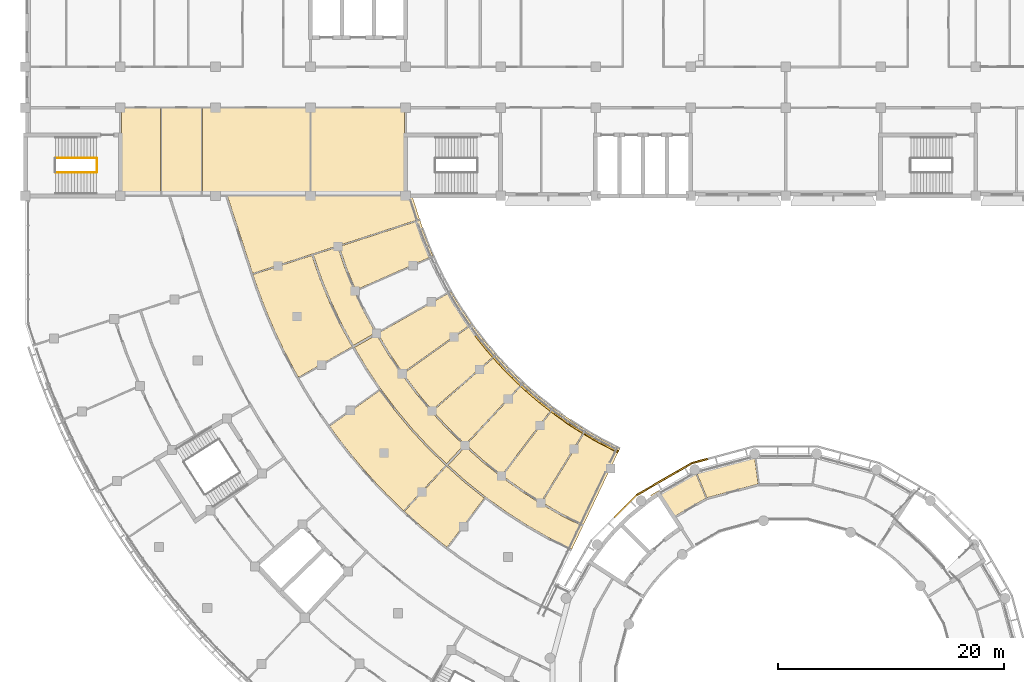
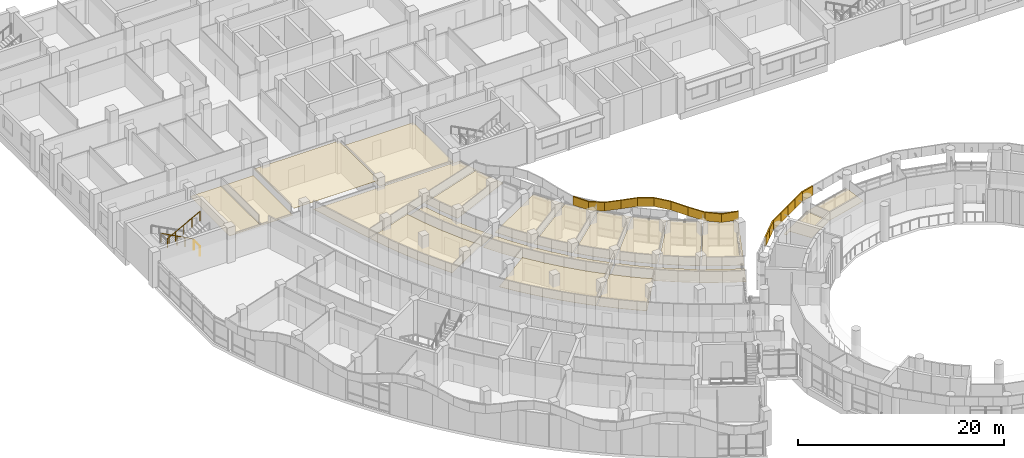
# One storey, part 99 of 109: 37 coverings, 3 railings.
"""IFC4 building model written with IfcOpenShell, lengths in metres."""

from ifc_helpers import new_model, si_unit, direction, frame, origin, origin_2d, place, context, subcontext, project, spatial, polyline, circle, outline, extrude, material, layer, layer_set, type_object, element, save


model = new_model("IFC4")

# Units and contexts
model_context = context("Model", 3, precision=1e-05, world=origin(), true_north=direction((0.0, 1.0)))
body_context = subcontext(model_context, "Body", "Model", "MODEL_VIEW")
ifc_project = project(units=[si_unit("LENGTHUNIT", "METRE"), si_unit("AREAUNIT", "SQUARE_METRE"), si_unit("VOLUMEUNIT", "CUBIC_METRE"), si_unit("PLANEANGLEUNIT", "RADIAN"), si_unit("MASSUNIT", "GRAM", prefix="KILO")], contexts=[model_context])

# Site, building, storey
site_placement = place(None, origin())
site = spatial("IfcSite", under=ifc_project, at=site_placement, CompositionType="ELEMENT")
building_placement = place(site_placement, origin())
building = spatial("IfcBuilding", under=site, at=building_placement, Name="Bougainvillea Quay General Hospital", CompositionType="ELEMENT")
storey_placement = place(building_placement, frame((0.0, 0.0, 12.60009765625)))
storey = spatial("IfcBuildingStorey", under=building, at=storey_placement, Name="L02", CompositionType="ELEMENT", Elevation=12.60009765625)

# Coverings
ifc_material_1 = material(Name="Powder-coated aluminium fascia, white", Category="aluminium")
ifc_layer_1 = layer(ifc_material_1, 0.14990234375)
ifc_layer_set_1 = layer_set([ifc_layer_1], Name="Powder-coated aluminium fascia, white")
covering_type_1 = type_object("IfcCoveringType", Name="Aluminium fascia band white 150x1100", PredefinedType="CLADDING", material=ifc_layer_set_1)
covering_1_placement = place(storey_placement, frame((102.345458984375, 94.287109375, 3.64990234375), z_axis=(0.0, 0.0, 1.0), x_axis=(-0.96591406393, -0.258862938836, 0.0)))
element("IfcCovering", 1, at=covering_1_placement, inside=storey, type_object=covering_type_1, Name="Fascia band white e1 30", PredefinedType="CLADDING", context=body_context, shape_type="SweptSolid", body=[
    extrude(outline(polyline([(0.0, 0.0), (1.4429842986801122, -5.551115123125783e-17), (1.4627235643386534, -0.14986654323044182), (1.8216170730327164e-05, -0.14988922050420808), (0.0, 0.0)])), origin(), (0.0, 0.0, 1.0), 1.10009765625),
])
covering_2_placement = place(storey_placement, frame((100.95166015625, 93.91357421875, 3.64990234375), z_axis=(0.0, 0.0, 1.0), x_axis=(-0.866058810152, -0.49994213401, 0.0)))
element("IfcCovering", 2, at=covering_2_placement, inside=storey, type_object=covering_type_1, Name="Fascia band white e1 31", PredefinedType="CLADDING", context=body_context, shape_type="SweptSolid", body=[
    extrude(outline(polyline([(0.0, 0.0), (1.4430380994058942, 0.0), (1.443016331686934, -0.14995740286665526), (-0.019704824865206458, -0.14987107548026693), (0.0, 0.0)])), origin(), (0.0, 0.0, 1.0), 1.10009765625),
])
covering_3_placement = place(storey_placement, frame((99.701904296875, 93.192138671875, 3.64990234375), z_axis=(0.0, 0.0, 1.0), x_axis=(-0.865986804272, -0.500066850358, 0.0)))
element("IfcCovering", 3, at=covering_3_placement, inside=storey, type_object=covering_type_1, Name="Fascia band white e1 32", PredefinedType="CLADDING", context=body_context, shape_type="SweptSolid", body=[
    extrude(outline(polyline([(0.0, 0.0), (1.3704222423145833, -1.1102230246251565e-16), (1.370590301720145, -0.15007948481028), (-4.3363154074840815e-05, -0.14995739817689163), (0.0, 0.0)])), origin(), (0.0, 0.0, 1.0), 1.10009765625),
])
covering_4_placement = place(storey_placement, frame((98.51513671875, 92.5068359375, 3.64990234375), z_axis=(0.0, 0.0, 1.0), x_axis=(-0.866031343357, -0.499989712218, 0.0)))
element("IfcCovering", 4, at=covering_4_placement, inside=storey, type_object=covering_type_1, Name="Fascia band white e1 33", PredefinedType="CLADDING", context=body_context, shape_type="SweptSolid", body=[
    extrude(outline(polyline([(0.0, 0.0), (1.3706336703115394, 0.0), (1.370815097766146, -0.15007946924533533), (0.00018142745460673904, -0.15007946924533525), (0.0, 0.0)])), origin(), (0.0, 0.0, 1.0), 1.10009765625),
])
covering_5_placement = place(storey_placement, frame((97.328125, 91.821533203125, 3.64990234375), z_axis=(0.0, 0.0, 1.0), x_axis=(-0.866058810152, -0.49994213401, 0.0)))
element("IfcCovering", 5, at=covering_5_placement, inside=storey, type_object=covering_type_1, Name="Fascia band white e1 34", PredefinedType="CLADDING", context=body_context, shape_type="SweptSolid", body=[
    extrude(outline(polyline([(0.0, 0.0), (1.4430380994058942, 0.0), (1.4629108289723776, -0.15016578643810474), (0.00018967242023705533, -0.15007945905171638), (0.0, 0.0)])), origin(), (0.0, 0.0, 1.0), 1.10009765625),
])
covering_6_placement = place(storey_placement, frame((96.078369140625, 91.10009765625, 3.64990234375), z_axis=(0.0, 0.0, 1.0), x_axis=(-0.707106781187, -0.707106781187, 0.0)))
element("IfcCovering", 6, at=covering_6_placement, inside=storey, type_object=covering_type_1, Name="Fascia band white e1 35", PredefinedType="CLADDING", context=body_context, shape_type="SweptSolid", body=[
    extrude(outline(polyline([(0.0, 0.0), (1.4428707219621983, 0.0), (1.4428707219621983, -0.15019113760554115), (-0.01968021803107091, -0.1501911376055411), (0.0, 0.0)])), origin(), (0.0, 0.0, 1.0), 1.10009765625),
])
covering_7_placement = place(storey_placement, frame((95.05810546875, 90.079833984375, 3.64990234375), z_axis=(0.0, 0.0, 1.0), x_axis=(-0.707106781187, -0.707106781187, 0.0)))
element("IfcCovering", 7, at=covering_7_placement, inside=storey, type_object=covering_type_1, Name="Fascia band white e1 36", PredefinedType="CLADDING", context=body_context, shape_type="SweptSolid", body=[
    extrude(outline(polyline([(0.0, 0.0), (1.370364655531937, 0.0), (1.370364655531937, -0.15019113760554115), (0.0, -0.15019113760554112), (0.0, 0.0)])), origin(), (0.0, 0.0, 1.0), 1.10009765625),
])
ifc_material_2 = material(Name="Powder-coated aluminium fascia, blue", Category="aluminium")
ifc_layer_2 = layer(ifc_material_2, 0.14990234375)
ifc_layer_set_2 = layer_set([ifc_layer_2], Name="Powder-coated aluminium fascia, blue")
covering_type_2 = type_object("IfcCoveringType", Name="Aluminium wave fascia ribbon blue 150x1000", PredefinedType="CLADDING", material=ifc_layer_set_2)
covering_8_placement = place(storey_placement, frame((94.427490234375, 95.04443359375, 3.149658203125), z_axis=(-0.134613920945, 0.068396361357, 0.988534789494), x_axis=(-0.881880821083, 0.446639994717, -0.150993153902)))
element("IfcCovering", 8, at=covering_8_placement, inside=storey, type_object=covering_type_2, Name="Fascia ribbon blue a11 1", PredefinedType="CLADDING", context=body_context, shape_type="SweptSolid", body=[
    extrude(outline(polyline([(0.0, 0.0), (1.649143049861406, 8.898589330674778e-17), (1.6526623826933484, 0.14981905811304655), (9.866971577592726e-05, 0.15001996091022107), (0.0, 0.0)])), origin(), (-0.150993153902, 0.000193478373, 0.988534789494), 1.0),
])
covering_9_placement = place(storey_placement, frame((92.97314453125, 95.781005859375, 2.900634765625), z_axis=(0.111270125415, -0.063136419477, 0.991782613139), x_axis=(-0.862316229129, 0.48994232104, 0.12793452636)))
element("IfcCovering", 9, at=covering_9_placement, inside=storey, type_object=covering_type_2, Name="Fascia ribbon blue a11 2", PredefinedType="CLADDING", context=body_context, shape_type="SweptSolid", body=[
    extrude(outline(polyline([(0.0, 0.0), (1.650880909901655, -1.5510867330120748e-17), (1.6544327151431235, 0.14997813959564843), (-0.003721425363353203, 0.14981417334788702), (0.0, 0.0)])), origin(), (0.12793452636, 7.2384344e-05, 0.991782613139), 1.0),
])
covering_10_placement = place(storey_placement, frame((91.549560546875, 96.58984375, 3.11279296875), z_axis=(0.269595321599, -0.17047557872, 0.947763915557), x_axis=(-0.800718860017, 0.507055998504, 0.318972603201)))
element("IfcCovering", 10, at=covering_10_placement, inside=storey, type_object=covering_type_2, Name="Fascia ribbon blue a11 3", PredefinedType="CLADDING", context=body_context, shape_type="SweptSolid", body=[
    extrude(outline(polyline([(0.0, 0.0), (1.7275661984663477, 9.017851569648183e-17), (1.7312349785072862, 0.1501463199086659), (-0.0038540562652176246, 0.1499748501509416), (0.0, 0.0)])), origin(), (0.318972603201, 0.000196913932, 0.947763915557), 1.0),
])
covering_11_placement = place(storey_placement, frame((90.166259765625, 97.4658203125, 3.6650390625), z_axis=(0.269846848694, -0.189375621449, 0.944097215466), x_axis=(-0.772726249963, 0.542414690052, 0.329667175549)))
element("IfcCovering", 11, at=covering_11_placement, inside=storey, type_object=covering_type_2, Name="Fascia ribbon blue a11 4", PredefinedType="CLADDING", context=body_context, shape_type="SweptSolid", body=[
    extrude(outline(polyline([(0.0, 0.0), (1.7342526152224345, 8.61940727125976e-18), (1.7380955254344927, 0.1499107304724183), (-0.0038732924675144065, 0.15014117517074269), (0.0, 0.0)])), origin(), (0.329667175549, 3.3380999e-05, 0.944097215466), 1.0),
])
covering_12_placement = place(storey_placement, frame((88.826171875, 98.406494140625, 4.23779296875), z_axis=(0.123697124633, -0.097170291714, 0.987550988945), x_axis=(-0.780215294997, 0.605410527722, 0.157296491939)))
element("IfcCovering", 12, at=covering_12_placement, inside=storey, type_object=covering_type_2, Name="Fascia ribbon blue a11 5", PredefinedType="CLADDING", context=body_context, shape_type="SweptSolid", body=[
    extrude(outline(polyline([(0.0, 0.0), (1.6578163978880402, 8.023096076392733e-17), (1.6616354729715916, 0.15003355894540937), (-0.003605006712985813, 0.1499134668402592), (0.0, 0.0)])), origin(), (0.157296491939, -0.000926206313, 0.987550988945), 1.0),
])
covering_13_placement = place(storey_placement, frame((87.53271484375, 99.41015625, 4.49853515625), z_axis=(-0.092219047305, 0.079952400942, 0.992523682789), x_axis=(-0.754227620361, 0.645170214853, -0.122049541381)))
element("IfcCovering", 13, at=covering_13_placement, inside=storey, type_object=covering_type_2, Name="Fascia ribbon blue a11 6", PredefinedType="CLADDING", context=body_context, shape_type="SweptSolid", body=[
    extrude(outline(polyline([(0.0, 0.0), (1.64988554428168, 8.475750483405431e-17), (1.653271143765797, 0.15003681032246757), (-0.0034059025957355565, 0.15004350145983397), (0.0, 0.0)])), origin(), (-0.122049541381, 0.000805326541, 0.992523682789), 1.0),
])
covering_14_placement = place(storey_placement, frame((86.288330078125, 100.474609375, 4.29638671875), z_axis=(-0.230664652954, 0.217005181885, 0.94852652515), x_axis=(-0.690563347838, 0.650249836175, -0.316697668411)))
element("IfcCovering", 14, at=covering_14_placement, inside=storey, type_object=covering_type_2, Name="Fascia ribbon blue a11 7", PredefinedType="CLADDING", context=body_context, shape_type="SweptSolid", body=[
    extrude(outline(polyline([(0.0, 0.0), (1.7259801856969024, -1.2656705111052657e-16), (1.729824833206473, 0.14997668190974503), (-0.003971421068609027, 0.1500272212118843), (0.0, 0.0)])), origin(), (-0.316697668411, -0.000133827894, 0.94852652515), 1.0),
])
covering_15_placement = place(storey_placement, frame((85.096435546875, 101.596923828125, 3.74853515625), z_axis=(-0.230115656066, 0.238478593157, 0.943490723558), x_axis=(-0.655227994087, 0.678860090834, -0.331398933066)))
element("IfcCovering", 15, at=covering_15_placement, inside=storey, type_object=covering_type_2, Name="Fascia ribbon blue a11 8", PredefinedType="CLADDING", context=body_context, shape_type="SweptSolid", body=[
    extrude(outline(polyline([(0.0, 0.0), (1.7355973342594433, 9.993633524885137e-17), (1.7393605789385473, 0.14993243944962287), (-0.0037256740513451373, 0.14997968410729973), (0.0, 0.0)])), origin(), (-0.331398933066, 4.1515047e-05, 0.943490723558), 1.0),
])
covering_16_placement = place(storey_placement, frame((83.959228515625, 102.775146484375, 3.17236328125), z_axis=(-0.106829283381, 0.122950709521, 0.986646150978), x_axis=(-0.650564877259, 0.741779293828, -0.162876700988)))
element("IfcCovering", 16, at=covering_16_placement, inside=storey, type_object=covering_type_2, Name="Fascia ribbon blue a11 9", PredefinedType="CLADDING", context=body_context, shape_type="SweptSolid", body=[
    extrude(outline(polyline([(0.0, 0.0), (1.659461326834655, -1.0530313600265462e-16), (1.6629966707854718, 0.14987754939353506), (-0.0036654032750332603, 0.14993168252770597), (0.0, 0.0)])), origin(), (-0.162876700988, 0.000743662862, 0.986646150978), 1.0),
])
covering_17_placement = place(storey_placement, frame((82.879638671875, 104.006103515625, 2.902099609375), z_axis=(0.071665472157, -0.09132517356, 0.993239031037), x_axis=(-0.618518962205, 0.777147793497, 0.116084453978)))
element("IfcCovering", 17, at=covering_17_placement, inside=storey, type_object=covering_type_2, Name="Fascia ribbon blue a11 10", PredefinedType="CLADDING", context=body_context, shape_type="SweptSolid", body=[
    extrude(outline(polyline([(0.0, 0.0), (1.648349577774987, -1.412444380205491e-16), (1.6519795935334607, 0.15000665733429563), (-0.0036879805536019395, 0.1498738615911904), (0.0, 0.0)])), origin(), (0.116084453978, -0.000791688017, 0.993239031037), 1.0),
])

# Railings
ifc_material_3 = material(Name="Stainless steel 304 balustrade", Category="steel")
railing_type = type_object("IfcRailingType", Name="Stair guard 1100", PredefinedType="GUARDRAIL", material=ifc_material_3)
railing_1_placement = place(storey_placement, frame((48.300048828125, 120.949951171875, 0.14990234375)))
element("IfcRailing", 18, at=railing_1_placement, inside=storey, type_object=railing_type, Name="L02 ST-B1 stair guard 1", PredefinedType="GUARDRAIL", context=body_context, shape_type="SweptSolid", body=[
    extrude(circle(Radius=0.02392578125, at=origin_2d()), frame((0.0, 0.0, 1.076171875), z_axis=(-0.881492274372, 0.0, 0.472198443689), x_axis=(0.0, -1.0, 0.0)), (0.0, 0.0, 1.0), 4.12939453125),
    extrude(circle(Radius=0.02099609375, at=origin_2d()), origin(), (0.0, 0.0, 1.0), 1.052001953125),
    extrude(circle(Radius=0.02099609375, at=origin_2d()), frame((-0.91015625, 0.0, 0.487548828125)), (0.0, 0.0, 1.0), 1.052001953125),
    extrude(circle(Radius=0.02099609375, at=origin_2d()), frame((-1.820068359375, 0.0, 0.97509765625)), (0.0, 0.0, 1.0), 1.052001953125),
    extrude(circle(Radius=0.02099609375, at=origin_2d()), frame((-2.72998046875, 0.0, 1.46240234375)), (0.0, 0.0, 1.0), 1.052001953125),
    extrude(circle(Radius=0.02099609375, at=origin_2d()), frame((-3.64013671875, 0.0, 1.949951171875)), (0.0, 0.0, 1.0), 1.052001953125),
])
railing_2_placement = place(storey_placement, frame((44.659912109375, 119.64990234375, 2.25)))
element("IfcRailing", 19, at=railing_2_placement, inside=storey, type_object=railing_type, Name="L02 ST-B1 stair guard 3", PredefinedType="GUARDRAIL", context=body_context, shape_type="SweptSolid", body=[
    extrude(circle(Radius=0.02392578125, at=origin_2d()), frame((0.0, 0.0, 1.076171875), z_axis=(0.881492274372, 0.0, 0.472198443689), x_axis=(0.0, 1.0, 0.0)), (0.0, 0.0, 1.0), 4.12939453125),
    extrude(circle(Radius=0.02099609375, at=origin_2d()), origin(), (0.0, 0.0, 1.0), 1.052001953125),
    extrude(circle(Radius=0.02099609375, at=origin_2d()), frame((0.91015625, 0.0, 0.487548828125)), (0.0, 0.0, 1.0), 1.052001953125),
    extrude(circle(Radius=0.02099609375, at=origin_2d()), frame((1.820068359375, 0.0, 0.97509765625)), (0.0, 0.0, 1.0), 1.052001953125),
    extrude(circle(Radius=0.02099609375, at=origin_2d()), frame((2.72998046875, 0.0, 1.46240234375)), (0.0, 0.0, 1.0), 1.052001953125),
    extrude(circle(Radius=0.02099609375, at=origin_2d()), frame((3.64013671875, 0.0, 1.949951171875)), (0.0, 0.0, 1.0), 1.052001953125),
])
railing_3_placement = place(storey_placement, frame((48.35009765625, 120.89990234375, 0.0)))
element("IfcRailing", 20, at=railing_3_placement, inside=storey, type_object=railing_type, Name="L02 ST-B1 stair guard 4", PredefinedType="GUARDRAIL", context=body_context, shape_type="SweptSolid", body=[
    extrude(circle(Radius=0.02392578125, at=origin_2d()), frame((0.0, 0.0, 1.076171875), z_axis=(0.0, -1.0, 0.0), x_axis=(1.0, 0.0, 0.0)), (0.0, 0.0, 1.0), 1.199951171875),
    extrude(circle(Radius=0.02099609375, at=origin_2d()), origin(), (0.0, 0.0, 1.0), 1.052001953125),
    extrude(circle(Radius=0.02099609375, at=origin_2d()), frame((0.0, -1.199951171875, 0.0)), (0.0, 0.0, 1.0), 1.052001953125),
])

# Coverings
ifc_material_4 = material(Name="Mineral fibre ceiling tile")
ifc_layer_3 = layer(ifc_material_4, 0.030029296875)
ifc_layer_set_3 = layer_set([ifc_layer_3], Name="Mineral fibre ceiling tile")
covering_type_3 = type_object("IfcCoveringType", Name="Suspended ceiling mineral fibre tile", PredefinedType="CEILING", material=ifc_layer_set_3)
covering_18_placement = place(storey_placement, frame((0.0, 0.0, 2.7998046875)))
element("IfcCovering", 21, at=covering_18_placement, inside=storey, type_object=covering_type_3, Name="Ceiling Physiotherapy Treatment Room 01", PredefinedType="CEILING", context=body_context, shape_type="SweptSolid", body=[
    extrude(outline(polyline([(50.449951171875, 117.64990234375), (53.947998046875, 117.64990234375), (53.947998046875, 125.35009765625), (50.5, 125.35009765625), (50.5, 122.89990234375), (50.449951171875, 122.89990234375), (50.449951171875, 117.64990234375)])), origin(), (0.0, 0.0, 1.0), 0.030029296875),
])
covering_19_placement = place(storey_placement, frame((0.0, 0.0, 2.7998046875)))
element("IfcCovering", 22, at=covering_19_placement, inside=storey, type_object=covering_type_3, Name="Ceiling Physiotherapy Treatment Room 02", PredefinedType="CEILING", context=body_context, shape_type="SweptSolid", body=[
    extrude(outline(polyline([(54.048095703125, 117.64990234375), (57.548095703125, 117.64990234375), (57.548095703125, 125.35009765625), (54.048095703125, 125.35009765625), (54.048095703125, 117.64990234375)])), origin(), (0.0, 0.0, 1.0), 0.030029296875),
])
covering_20_placement = place(storey_placement, frame((0.0, 0.0, 3.5498046875)))
element("IfcCovering", 23, at=covering_20_placement, inside=storey, type_object=covering_type_3, Name="Ceiling Hydrotherapy Pool Hall", PredefinedType="CEILING", context=body_context, shape_type="SweptSolid", body=[
    extrude(outline(polyline([(57.64794921875, 117.64990234375), (67.14794921875, 117.64990234375), (67.14794921875, 125.35009765625), (57.64794921875, 125.35009765625), (57.64794921875, 117.64990234375)])), origin(), (0.0, 0.0, 1.0), 0.030029296875),
])
covering_21_placement = place(storey_placement, frame((0.0, 0.0, 2.7998046875)))
element("IfcCovering", 24, at=covering_21_placement, inside=storey, type_object=covering_type_3, Name="Ceiling Occupational Therapy Room", PredefinedType="CEILING", context=body_context, shape_type="SweptSolid", body=[
    extrude(outline(polyline([(75.550048828125, 117.64990234375), (75.550048828125, 122.89990234375), (75.5, 122.89990234375), (75.5, 125.35009765625), (67.248046875, 125.35009765625), (67.248046875, 117.64990234375), (75.550048828125, 117.64990234375)])), origin(), (0.0, 0.0, 1.0), 0.030029296875),
])
covering_22_placement = place(storey_placement, frame((0.0, 0.0, 2.699951171875)))
element("IfcCovering", 25, at=covering_22_placement, inside=storey, type_object=covering_type_3, Name="Ceiling Resource Room 02H0114", PredefinedType="CEILING", context=body_context, shape_type="SweptSolid", body=[
    extrude(outline(polyline([(101.212646484375, 93.4140625), (102.23974609375, 90.93505859375), (102.25244140625, 90.9423828125), (102.26123046875, 90.92724609375), (106.74609375, 92.129638671875), (106.74609375, 92.14697265625), (106.7607421875, 92.14697265625), (106.410400390625, 94.806884765625), (101.212646484375, 93.4140625)])), origin(), (0.0, 0.0, 1.0), 0.030029296875),
])
covering_23_placement = place(storey_placement, frame((0.0, 0.0, 2.699951171875)))
element("IfcCovering", 26, at=covering_23_placement, inside=storey, type_object=covering_type_3, Name="Ceiling Patient Education Room 02H0115", PredefinedType="CEILING", context=body_context, shape_type="SweptSolid", body=[
    extrude(outline(polyline([(99.34716796875, 89.171630859375), (99.306396484375, 89.241943359375), (102.1376953125, 90.876220703125), (102.133056640625, 90.89306640625), (102.147216796875, 90.896728515625), (101.120361328125, 93.375732421875), (97.25634765625, 91.14501953125), (97.428955078125, 90.898681640625), (97.387939453125, 90.8701171875), (97.97998046875, 91.277099609375), (99.34716796875, 89.171630859375)])), origin(), (0.0, 0.0, 1.0), 0.030029296875),
])
covering_24_placement = place(storey_placement, frame((0.0, 0.0, 2.39990234375)))
element("IfcCovering", 27, at=covering_24_placement, inside=storey, type_object=covering_type_3, Name="Ceiling Clinic Corridor 02W1", PredefinedType="CEILING", context=body_context, shape_type="SweptSolid", body=[
    extrude(outline(polyline([(91.299072265625, 88.468994140625), (91.265625, 88.40185546875), (89.43994140625, 89.310302734375), (89.437744140625, 89.306640625), (89.37451171875, 89.3427734375), (89.309326171875, 89.375244140625), (89.311279296875, 89.379150390625), (87.60546875, 90.3583984375), (87.603515625, 90.355224609375), (87.5419921875, 90.39501953125), (87.478515625, 90.431396484375), (87.48046875, 90.4345703125), (85.826416015625, 91.499267578125), (85.82421875, 91.496337890625), (85.764892578125, 91.5390625), (85.703369140625, 91.57861328125), (85.705322265625, 91.58154296875), (84.107177734375, 92.728515625), (84.10498046875, 92.7255859375), (84.047607421875, 92.771240234375), (83.98828125, 92.813720703125), (83.990478515625, 92.81689453125), (82.451416015625, 94.044189453125), (82.44873046875, 94.041015625), (82.39453125, 94.08984375), (82.337646484375, 94.135009765625), (82.34033203125, 94.138427734375), (80.898193359375, 95.435302734375), (79.366455078125, 93.7890625), (80.948486328125, 92.3662109375), (82.689208984375, 90.976806640625), (84.499267578125, 89.677978515625), (86.3720703125, 88.47314453125), (88.303466796875, 87.3642578125), (90.29833984375, 86.37158203125), (91.299072265625, 88.468994140625)])), origin(), (0.0, 0.0, 1.0), 0.030029296875),
])
covering_25_placement = place(storey_placement, frame((0.0, 0.0, 2.699951171875)))
element("IfcCovering", 28, at=covering_25_placement, inside=storey, type_object=covering_type_3, Name="Ceiling Oncology Consulting Room 02W102", PredefinedType="CEILING", context=body_context, shape_type="SweptSolid", body=[
    extrude(outline(polyline([(82.539306640625, 90.89990234375), (82.54150390625, 90.90283203125), (80.908447265625, 92.206298828125), (80.905517578125, 92.203125), (80.8515625, 92.251708984375), (80.794677734375, 92.297119140625), (80.79736328125, 92.300537109375), (79.26416015625, 93.67919921875), (79.260986328125, 93.677734375), (79.225830078125, 93.71142578125), (75.50439453125, 89.711669921875), (77.0439453125, 88.3388671875), (78.44970703125, 87.1796875), (79.271728515625, 86.54541015625), (82.55810546875, 90.88623046875), (82.539306640625, 90.89990234375)])), origin(), (0.0, 0.0, 1.0), 0.030029296875),
])
covering_26_placement = place(storey_placement, frame((0.0, 0.0, 2.699951171875)))
element("IfcCovering", 29, at=covering_26_placement, inside=storey, type_object=covering_type_3, Name="Ceiling Infusion Chair Bay 02W111", PredefinedType="CEILING", context=body_context, shape_type="SweptSolid", body=[
    extrude(outline(polyline([(94.56298828125, 95.31201171875), (94.540283203125, 95.267333984375), (93.067626953125, 96.015869140625), (93.06640625, 96.013671875), (93.024169921875, 96.0380859375), (92.980712890625, 96.06005859375), (92.98193359375, 96.062255859375), (91.54736328125, 96.88427734375), (87.663330078125, 90.498291015625), (89.4453125, 89.47509765625), (91.331298828125, 88.53662109375), (94.56298828125, 95.31201171875)])), origin(), (0.0, 0.0, 1.0), 0.030029296875),
])
covering_27_placement = place(storey_placement, frame((0.0, 0.0, 2.699951171875)))
element("IfcCovering", 30, at=covering_27_placement, inside=storey, type_object=covering_type_3, Name="Ceiling Pharmacy Preparation Room 02W112", PredefinedType="CEILING", context=body_context, shape_type="SweptSolid", body=[
    extrude(outline(polyline([(89.52197265625, 98.27294921875), (89.492431640625, 98.232666015625), (88.690185546875, 98.821533203125), (84.178955078125, 92.861572265625), (85.84912109375, 91.6630859375), (87.577880859375, 90.55029296875), (91.4619140625, 96.936279296875), (90.18310546875, 97.755859375), (90.2099609375, 97.798095703125), (89.52197265625, 98.27294921875)])), origin(), (0.0, 0.0, 1.0), 0.030029296875),
])
covering_28_placement = place(storey_placement, frame((0.0, 0.0, 2.699951171875)))
element("IfcCovering", 31, at=covering_28_placement, inside=storey, type_object=covering_type_3, Name="Ceiling Infusion Chair Bay 02W113", PredefinedType="CEILING", context=body_context, shape_type="SweptSolid", body=[
    extrude(outline(polyline([(80.96337890625, 95.578369140625), (82.491455078125, 94.204345703125), (84.09912109375, 92.922119140625), (88.610595703125, 98.88232421875), (87.4365234375, 99.81591796875), (87.435546875, 99.814453125), (87.35986328125, 99.876953125), (87.36083984375, 99.87841796875), (86.682373046875, 100.45947265625), (86.681396484375, 100.458251953125), (86.607421875, 100.5234375), (86.6083984375, 100.524658203125), (86.04296875, 101.037841796875), (80.96337890625, 95.578369140625)])), origin(), (0.0, 0.0, 1.0), 0.030029296875),
])
covering_29_placement = place(storey_placement, frame((0.0, 0.0, 2.39990234375)))
element("IfcCovering", 32, at=covering_29_placement, inside=storey, type_object=covering_type_3, Name="Ceiling Clinic Corridor 02W1", PredefinedType="CEILING", context=body_context, shape_type="SweptSolid", body=[
    extrude(outline(polyline([(75.246826171875, 101.83447265625), (75.202880859375, 101.89306640625), (75.2060546875, 101.895263671875), (74.105224609375, 103.527587890625), (74.1015625, 103.525390625), (74.064453125, 103.587890625), (74.02392578125, 103.648193359375), (74.027587890625, 103.650634765625), (73.040771484375, 105.32080078125), (71.086181640625, 104.208984375), (72.16845703125, 102.376953125), (73.4130859375, 100.530517578125), (74.750732421875, 98.74853515625), (76.176513671875, 97.037353515625), (77.6865234375, 95.400390625), (79.219970703125, 93.92529296875), (80.751953125, 95.571533203125), (79.35400390625, 96.9169921875), (79.350830078125, 96.9140625), (79.301513671875, 96.967529296875), (79.2490234375, 97.01806640625), (79.251953125, 97.02099609375), (77.917236328125, 98.466796875), (77.914306640625, 98.46435546875), (77.86767578125, 98.5205078125), (77.818115234375, 98.57421875), (77.82080078125, 98.57666015625), (76.56201171875, 100.088134765625), (76.55908203125, 100.0859375), (76.51513671875, 100.14453125), (76.46826171875, 100.20068359375), (76.47119140625, 100.203125), (75.290771484375, 101.77587890625), (75.287841796875, 101.77392578125), (75.246826171875, 101.83447265625)])), origin(), (0.0, 0.0, 1.0), 0.030029296875),
])
covering_30_placement = place(storey_placement, frame((0.0, 0.0, 2.699951171875)))
element("IfcCovering", 33, at=covering_30_placement, inside=storey, type_object=covering_type_3, Name="Ceiling Infusion Waiting Hall 02W101", PredefinedType="CEILING", context=body_context, shape_type="SweptSolid", body=[
    extrude(outline(polyline([(74.633056640625, 98.655517578125), (74.58642578125, 98.711669921875), (74.589111328125, 98.7138671875), (73.334716796875, 100.385009765625), (73.331787109375, 100.3828125), (73.31884765625, 100.402099609375), (68.889404296875, 97.249267578125), (69.449462890625, 96.464599609375), (70.199951171875, 95.480224609375), (70.974853515625, 94.515625), (71.7734375, 93.5703125), (72.9970703125, 92.2099609375), (73.8525390625, 91.3154296875), (74.730224609375, 90.44287109375), (75.430908203125, 89.779296875), (79.15283203125, 93.779541015625), (79.116455078125, 93.81201171875), (79.117919921875, 93.8154296875), (77.6318359375, 95.244873046875), (77.628662109375, 95.241943359375), (77.579345703125, 95.29541015625), (77.52685546875, 95.345947265625), (77.530029296875, 95.34912109375), (76.11328125, 96.884765625), (76.1103515625, 96.88232421875), (76.0634765625, 96.9384765625), (76.013916015625, 96.9921875), (76.016845703125, 96.994873046875), (74.679931640625, 98.59912109375), (74.677001953125, 98.596923828125), (74.633056640625, 98.655517578125)])), origin(), (0.0, 0.0, 1.0), 0.030029296875),
])
covering_31_placement = place(storey_placement, frame((0.0, 0.0, 2.699951171875)))
element("IfcCovering", 34, at=covering_31_placement, inside=storey, type_object=covering_type_3, Name="Ceiling Infusion Chair Bay 02W111", PredefinedType="CEILING", context=body_context, shape_type="SweptSolid", body=[
    extrude(outline(polyline([(84.931396484375, 102.118408203125), (84.8623046875, 102.188232421875), (84.863525390625, 102.189453125), (84.21240234375, 102.870361328125), (84.211181640625, 102.869384765625), (84.144287109375, 102.941650390625), (84.145263671875, 102.942626953125), (83.6337890625, 103.510986328125), (78.014404296875, 98.582763671875), (79.40869140625, 97.072509765625), (80.89013671875, 95.646484375), (85.97021484375, 101.1064453125), (84.9326171875, 102.119384765625), (84.931396484375, 102.118408203125)])), origin(), (0.0, 0.0, 1.0), 0.030029296875),
])
covering_32_placement = place(storey_placement, frame((0.0, 0.0, 2.699951171875)))
element("IfcCovering", 35, at=covering_32_placement, inside=storey, type_object=covering_type_3, Name="Ceiling Pharmacy Preparation Room 02W112", PredefinedType="CEILING", context=body_context, shape_type="SweptSolid", body=[
    extrude(outline(polyline([(82.668212890625, 104.659912109375), (82.606689453125, 104.736328125), (82.60791015625, 104.7373046875), (81.998291015625, 105.52001953125), (81.9970703125, 105.51904296875), (81.937744140625, 105.59765625), (81.93896484375, 105.5986328125), (81.48779296875, 106.215576171875), (75.399169921875, 101.881591796875), (76.6328125, 100.237548828125), (77.948486328125, 98.657958984375), (83.568359375, 103.58642578125), (82.669677734375, 104.660888671875), (82.668212890625, 104.659912109375)])), origin(), (0.0, 0.0, 1.0), 0.030029296875),
])
covering_33_placement = place(storey_placement, frame((0.0, 0.0, 2.699951171875)))
element("IfcCovering", 36, at=covering_33_placement, inside=storey, type_object=covering_type_3, Name="Ceiling Infusion Chair Bay 02W113", PredefinedType="CEILING", context=body_context, shape_type="SweptSolid", body=[
    extrude(outline(polyline([(75.341064453125, 101.962890625), (81.43017578125, 106.29736328125), (80.670654296875, 107.41796875), (80.669189453125, 107.4169921875), (80.615478515625, 107.499267578125), (80.616943359375, 107.500244140625), (80.064453125, 108.38037109375), (80.063232421875, 108.379638671875), (80.011962890625, 108.4638671875), (80.013427734375, 108.464599609375), (79.626708984375, 109.1240234375), (73.145751953125, 105.43798828125), (74.19140625, 103.66796875), (75.341064453125, 101.962890625)])), origin(), (0.0, 0.0, 1.0), 0.030029296875),
])
covering_34_placement = place(storey_placement, frame((0.0, 0.0, 2.699951171875)))
element("IfcCovering", 37, at=covering_34_placement, inside=storey, type_object=covering_type_3, Name="Ceiling Clinical Trials Clinic", PredefinedType="CEILING", context=body_context, shape_type="SweptSolid", body=[
    extrude(outline(polyline([(59.85595703125, 117.60009765625), (62.0771484375, 110.76416015625), (62.133544921875, 110.782958984375), (62.135009765625, 110.778076171875), (62.139892578125, 110.779296875), (62.14404296875, 110.76318359375), (76.8486328125, 115.54052734375), (76.179931640625, 117.60009765625), (59.85595703125, 117.60009765625)])), origin(), (0.0, 0.0, 1.0), 0.030029296875),
])
covering_35_placement = place(storey_placement, frame((0.0, 0.0, 2.39990234375)))
element("IfcCovering", 38, at=covering_35_placement, inside=storey, type_object=covering_type_3, Name="Ceiling Clinic Corridor 02W2", PredefinedType="CEILING", context=body_context, shape_type="SweptSolid", body=[
    extrude(outline(polyline([(71.97607421875, 107.260009765625), (71.941162109375, 107.32373046875), (71.945068359375, 107.325927734375), (71.1044921875, 109.10546875), (71.10107421875, 109.10400390625), (71.0732421875, 109.171630859375), (71.042236328125, 109.23779296875), (71.045654296875, 109.239501953125), (70.297607421875, 111.05908203125), (70.29345703125, 111.0576171875), (70.269775390625, 111.12646484375), (70.2421875, 111.19384765625), (70.24609375, 111.195556640625), (69.599853515625, 113.076416015625), (67.460693359375, 112.3818359375), (68.168212890625, 110.322509765625), (69.015625, 108.26318359375), (69.9658203125, 106.2490234375), (70.9873046875, 104.3828125), (72.94189453125, 105.49462890625), (72.01123046875, 107.196044921875), (72.00732421875, 107.194091796875), (71.97607421875, 107.260009765625)])), origin(), (0.0, 0.0, 1.0), 0.030029296875),
])
covering_36_placement = place(storey_placement, frame((0.0, 0.0, 2.699951171875)))
element("IfcCovering", 39, at=covering_36_placement, inside=storey, type_object=covering_type_3, Name="Ceiling Clinical Trials Waiting Hall 02W201", PredefinedType="CEILING", context=body_context, shape_type="SweptSolid", body=[
    extrude(outline(polyline([(62.177490234375, 110.63427734375), (62.12451171875, 110.62060546875), (62.496826171875, 109.52294921875), (62.923095703125, 108.36083984375), (63.37841796875, 107.21044921875), (63.862548828125, 106.072265625), (64.375, 104.94580078125), (64.9150390625, 103.832763671875), (65.758056640625, 102.2275390625), (66.1279296875, 101.561767578125), (70.87939453125, 104.263916015625), (70.8544921875, 104.305908203125), (70.856689453125, 104.30859375), (69.8671875, 106.116943359375), (69.86328125, 106.115234375), (69.83203125, 106.180908203125), (69.797119140625, 106.244873046875), (69.801025390625, 106.246826171875), (68.90966796875, 108.136474609375), (68.90625, 108.135009765625), (68.87841796875, 108.20263671875), (68.84716796875, 108.268798828125), (68.8505859375, 108.2705078125), (68.055419921875, 110.2021484375), (68.051513671875, 110.20068359375), (68.02783203125, 110.26953125), (68.0, 110.3369140625), (68.004150390625, 110.33837890625), (67.31787109375, 112.33544921875), (62.173095703125, 110.663818359375), (62.180908203125, 110.640625), (62.176025390625, 110.638916015625), (62.177490234375, 110.63427734375)])), origin(), (0.0, 0.0, 1.0), 0.030029296875),
])
covering_37_placement = place(storey_placement, frame((0.0, 0.0, 2.699951171875)))
element("IfcCovering", 40, at=covering_37_placement, inside=storey, type_object=covering_type_3, Name="Ceiling Clinical Trials Examination Room 02W212", PredefinedType="CEILING", context=body_context, shape_type="SweptSolid", body=[
    extrude(outline(polyline([(76.880126953125, 115.445556640625), (69.74267578125, 113.122802734375), (70.41015625, 111.179443359375), (71.191650390625, 109.278564453125), (78.030029296875, 112.296875), (77.52734375, 113.50830078125), (77.525634765625, 113.507568359375), (77.48974609375, 113.59912109375), (77.4912109375, 113.599609375), (77.085205078125, 114.683349609375), (77.132080078125, 114.700927734375), (76.880126953125, 115.445556640625)])), origin(), (0.0, 0.0, 1.0), 0.030029296875),
])

save(model, "model.ifc")
